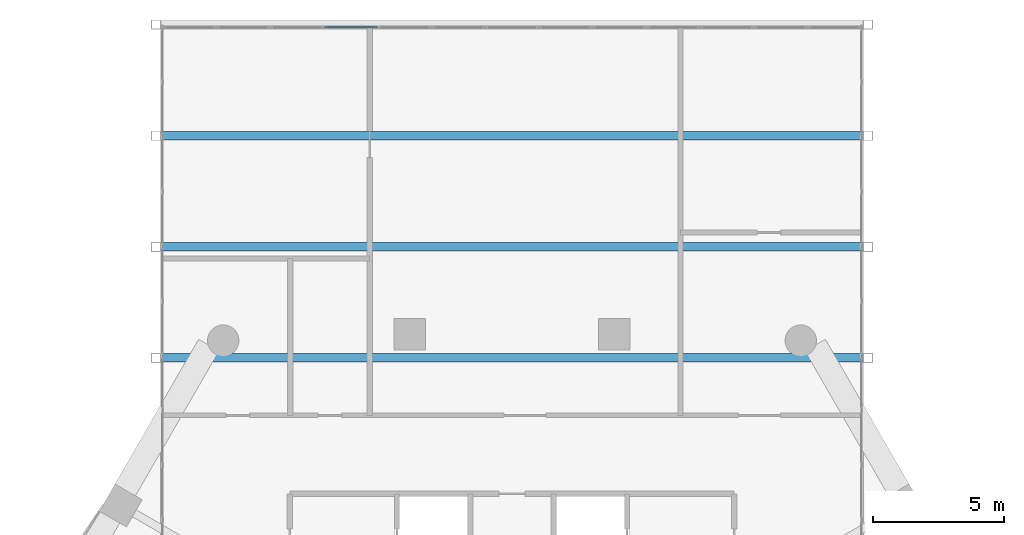
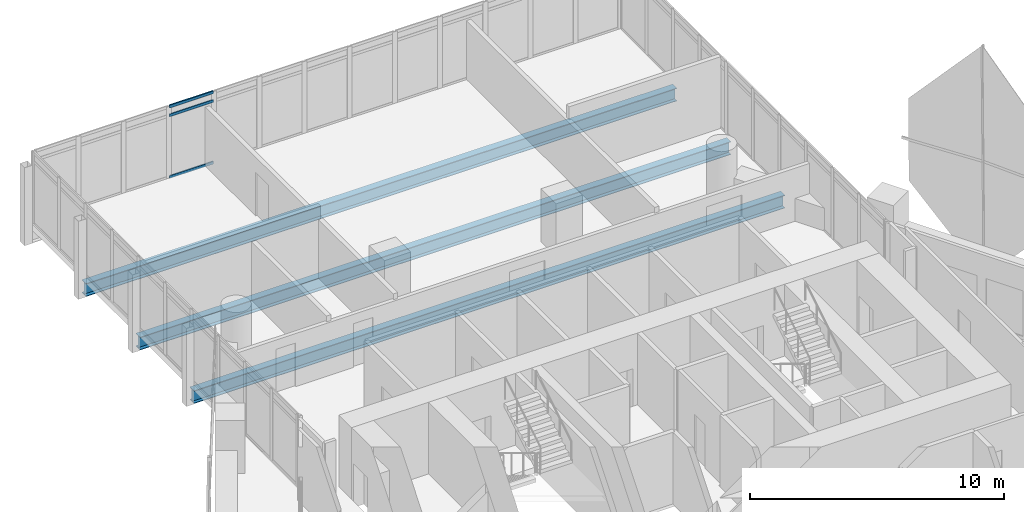
# One storey, part 19 of 38: 3 beams, 3 members, 1 element without a shape of its own.
"""IFC4 building model written with IfcOpenShell, lengths in metres."""

from ifc_helpers import new_model, si_unit, direction, frame, origin, origin_2d, place, context, subcontext, project, spatial, hollow_rectangle, i_section, extrude, material, material_profile, profile_set, type_object, element, aggregate, save


model = new_model("IFC4")

# Units and contexts
model_context = context("Model", 3, precision=1e-05, world=origin(), true_north=direction((0.0, 1.0)))
body_context = subcontext(model_context, "Body", "Model", "MODEL_VIEW")
ifc_project = project(units=[si_unit("LENGTHUNIT", "METRE"), si_unit("AREAUNIT", "SQUARE_METRE"), si_unit("VOLUMEUNIT", "CUBIC_METRE"), si_unit("PLANEANGLEUNIT", "RADIAN"), si_unit("MASSUNIT", "GRAM", prefix="KILO")], contexts=[model_context])

# Site, building, storey
site_placement = place(None, origin())
site = spatial("IfcSite", under=ifc_project, at=site_placement, CompositionType="ELEMENT")
building_placement = place(site_placement, origin())
building = spatial("IfcBuilding", under=site, at=building_placement, Name="Ostrander Bayou Hotel Tower", CompositionType="ELEMENT")
storey_placement = place(building_placement, frame((0.0, 0.0, 96.75)))
storey = spatial("IfcBuildingStorey", under=building, at=storey_placement, Name="L24", CompositionType="ELEMENT", Elevation=96.75)

# Curtain wall, members
ifc_material_1 = material(Name="Aluminium and clear glass", Category="aluminium")
curtain_wall_type = type_object("IfcCurtainWallType", Name="CW-BAR glazed wall", PredefinedType="NOTDEFINED", material=ifc_material_1)
curtain_wall_placement = place(storey_placement, origin())
curtain_wall = element("IfcCurtainWall", 1, at=curtain_wall_placement, inside=storey, type_object=curtain_wall_type, Name="CW-BAR L24:SB2N:T", PredefinedType="NOTDEFINED")
ifc_material_2 = material(Name="Aluminium", Category="aluminium")
ifc_material_profile_1 = material_profile(ifc_material_2, hollow_rectangle(XDim=0.06005859375, YDim=0.1298828125, WallThickness=0.00390625, at=origin_2d()))
ifc_profile_set_1 = profile_set([ifc_material_profile_1], Name="Aluminium")
member_type = type_object("IfcMemberType", Name="CW-BR transom 60 x 130 mm", PredefinedType="USERDEFINED", material=ifc_profile_set_1)
member_1_placement = place(storey_placement, frame((-7.167724609375, 31.4453125, 0.030029296875), z_axis=(1.0, 0.0, 0.0), x_axis=(0.0, 1.0, 0.0)))
member_1 = element("IfcMember", 2, at=member_1_placement, type_object=member_type, Name="CW-BAR transom 4.1", ObjectType="TRANSOM", PredefinedType="USERDEFINED", context=body_context, shape_type="SweptSolid", body=[
    extrude(hollow_rectangle(XDim=0.06005859375, YDim=0.1298828125, WallThickness=0.00390625, at=origin_2d()), origin(), (0.0, 0.0, 1.0), 1.99658203125),
])
member_2_placement = place(storey_placement, frame((-7.167724609375, 31.4453125, 3.0), z_axis=(1.0, 0.0, 0.0), x_axis=(0.0, 1.0, 0.0)))
member_2 = element("IfcMember", 3, at=member_2_placement, type_object=member_type, Name="CW-BAR transom 4.2", ObjectType="TRANSOM", PredefinedType="USERDEFINED", context=body_context, shape_type="SweptSolid", body=[
    extrude(hollow_rectangle(XDim=0.06005859375, YDim=0.1298828125, WallThickness=0.00390625, at=origin_2d()), origin(), (0.0, 0.0, 1.0), 1.99658203125),
])
member_3_placement = place(storey_placement, frame((-7.167724609375, 31.4453125, 3.419921875), z_axis=(1.0, 0.0, 0.0), x_axis=(0.0, 1.0, 0.0)))
member_3 = element("IfcMember", 4, at=member_3_placement, type_object=member_type, Name="CW-BAR transom 4.3", ObjectType="TRANSOM", PredefinedType="USERDEFINED", context=body_context, shape_type="SweptSolid", body=[
    extrude(hollow_rectangle(XDim=0.06005859375, YDim=0.1298828125, WallThickness=0.00390625, at=origin_2d()), origin(), (0.0, 0.0, 1.0), 1.99658203125),
])
aggregate(curtain_wall, [member_1, member_2, member_3])

# Beams
ifc_material_3 = material(Name="Steel ASTM A992", Category="steel")
ifc_material_profile_2 = material_profile(ifc_material_3, i_section(OverallWidth=0.32763671875, OverallDepth=0.621826171875, WebThickness=0.015380859375, FlangeThickness=0.0244140625, at=origin_2d()))
ifc_profile_set_2 = profile_set([ifc_material_profile_2], Name="Steel ASTM A992")
beam_type = type_object("IfcBeamType", Name="TF1 bar floor beam W24x131", PredefinedType="BEAM", material=ifc_profile_set_2)
for number, where, z_axis, x_axis, name in (
    (5, (-13.442138671875, 27.295654296875, -0.61083984375), (1.0, 0.0, 0.0), (0.0, 1.0, 0.0), "TF1 SB2W L2-2"),
    (6, (-13.442138671875, 23.0458984375, -0.61083984375), (1.0, 0.0, 0.0), (0.0, 1.0, 0.0), "TF1 SB2W L2-3"),
    (7, (-13.442138671875, 18.79638671875, -0.61083984375), (1.0, 0.0, 0.0), (0.0, 1.0, 0.0), "TF1 SB2W L2-4"),
):
    element("IfcBeam", number, at=place(storey_placement, frame(where, z_axis=z_axis, x_axis=x_axis)), inside=storey, type_object=beam_type, Name=name, PredefinedType="BEAM", context=body_context, shape_type="SweptSolid", body=[
        extrude(i_section(OverallWidth=0.32763671875, OverallDepth=0.621826171875, WebThickness=0.015380859375, FlangeThickness=0.0244140625, at=origin_2d()), origin(), (0.0, 0.0, 1.0), 26.88427734375),
    ])

save(model, "model.ifc")
